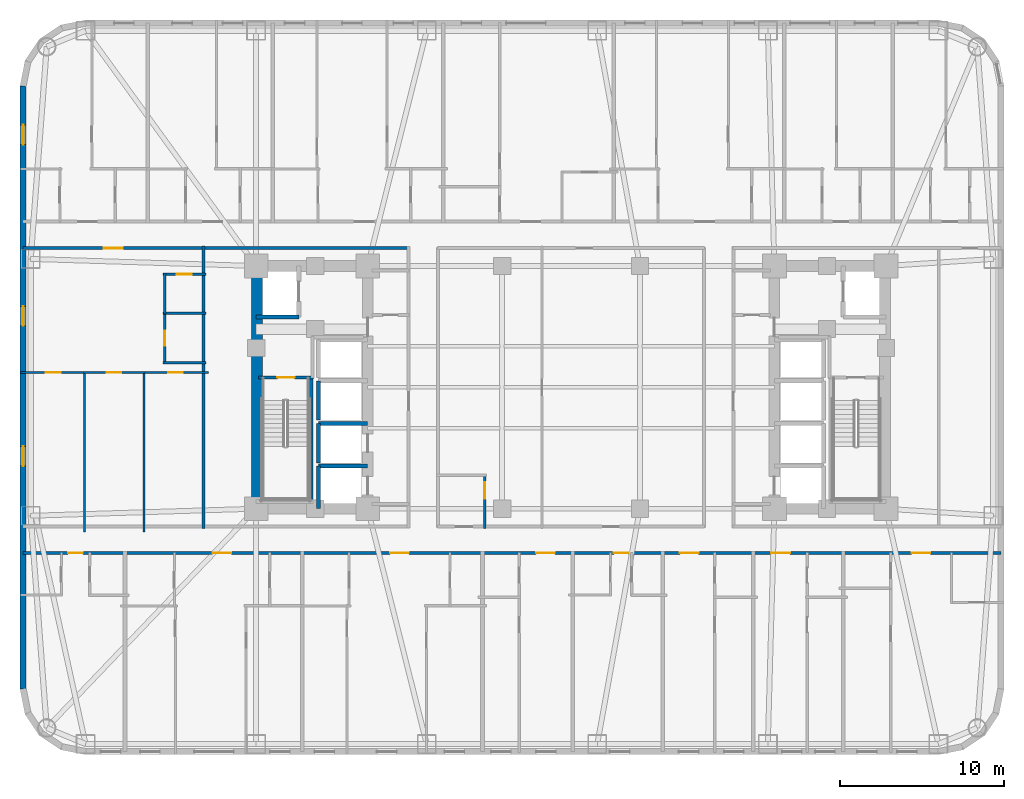
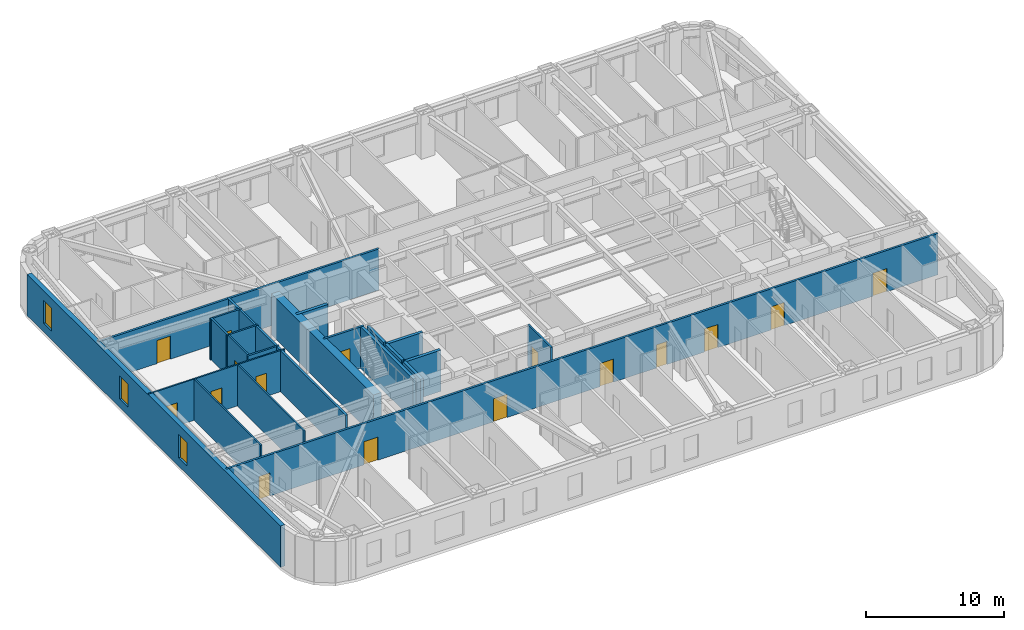
# One storey, part 4 of 11: 24 walls, 16 doors, 3 windows, 19 openings.
"""IFC4 building model written with IfcOpenShell, lengths in metres."""

from ifc_helpers import new_model, si_unit, direction, frame, frame_2d, origin, place, context, subcontext, project, spatial, rectangle, extrude, material, layer, layer_set, type_object, element, fill, save


model = new_model("IFC4")

# Units and contexts
model_context = context("Model", 3, precision=1e-05, world=origin(), true_north=direction((0.0, 1.0)))
body_context = subcontext(model_context, "Body", "Model", "MODEL_VIEW")
ifc_project = project(units=[si_unit("LENGTHUNIT", "METRE"), si_unit("AREAUNIT", "SQUARE_METRE"), si_unit("VOLUMEUNIT", "CUBIC_METRE"), si_unit("PLANEANGLEUNIT", "RADIAN"), si_unit("MASSUNIT", "GRAM", prefix="KILO")], contexts=[model_context])

# Site, building, storey
site_placement = place(None, origin())
site = spatial("IfcSite", under=ifc_project, at=site_placement, CompositionType="ELEMENT")
building_placement = place(site_placement, origin())
building = spatial("IfcBuilding", under=site, at=building_placement, Name="Voryun Gate Residences", CompositionType="ELEMENT")
storey_placement = place(building_placement, frame((0.0, 0.0, 45.5)))
storey = spatial("IfcBuildingStorey", under=building, at=storey_placement, Name="L10", CompositionType="ELEMENT", Elevation=45.5)

# Wall
ifc_material_1 = material(Name="Concrete C60/75", Category="concrete")
ifc_layer_1 = layer(ifc_material_1, 0.64990234375, Name="CW_CORE_650")
ifc_layer_set_1 = layer_set([ifc_layer_1], Name="Concrete C60/75")
wall_type_1 = type_object("IfcWallType", Name="CW_CORE_650", PredefinedType="SHEAR", material=ifc_layer_set_1)
wall_1_placement = place(storey_placement, frame((-19.14501953125, -7.39990234375, 0.0), z_axis=(0.0, 0.0, 1.0), x_axis=(0.0, 1.0, 0.0)))
element("IfcWall", 1, at=wall_1_placement, inside=storey, type_object=wall_type_1, Name="L10 Core shear wall CW-L10-WW", PredefinedType="SHEAR", context=body_context, shape_type="SweptSolid", body=[
    extrude(rectangle(XDim=14.7998046875, YDim=0.64990234375, at=frame_2d((7.39990234375, 0.0))), origin(), (0.0, 0.0, 1.0), 3.64990234375),
])

# Wall, opening, door
ifc_material_2 = material(Name="Gypsum acoustic fireboard")
ifc_layer_2 = layer(ifc_material_2, 0.179931640625, Name="W_CORR_RATED_180")
ifc_layer_set_2 = layer_set([ifc_layer_2], Name="Gypsum acoustic fireboard")
wall_type_2 = type_object("IfcWallType", Name="W_CORR_RATED_180", PredefinedType="PARTITIONING", material=ifc_layer_set_2)
wall_2_placement = place(storey_placement, frame((-19.06005859375, 0.60009765625, 0.0), z_axis=(0.0, 0.0, 1.0), x_axis=(1.0, 0.0, 0.0)))
wall_2 = element("IfcWall", 2, at=wall_2_placement, inside=storey, type_object=wall_type_2, Name="Partition wall WP-L10-STV-W", PredefinedType="PARTITIONING", context=body_context, shape_type="SweptSolid", body=[
    extrude(rectangle(XDim=3.360107421875, YDim=0.179931640625, at=frame_2d((1.68017578125, 0.0))), origin(), (0.0, 0.0, 1.0), 3.64990234375),
])
opening_1_placement = place(wall_2_placement, frame((1.155029296875, 0.0, 0.0)))
opening_1 = element("IfcOpeningElement", 3, at=opening_1_placement, cuts=wall_2, Name="Opening D-FD60-1", PredefinedType="OPENING", context=body_context, shape_type="SweptSolid", body=[
    extrude(rectangle(XDim=1.050048828125, YDim=2.050048828125, at=frame_2d((0.52490234375, 1.02490234375))), frame((0.0, 0.099853515625, 0.0), z_axis=(0.0, -1.0, 0.0), x_axis=(1.0, 0.0, 0.0)), (0.0, 0.0, 1.0), 0.199951171875),
])
ifc_material_3 = material(Name="Painted steel fire door", Category="steel")
door_type_1 = type_object("IfcDoorType", Name="DR_FD60_STAIR_1050", OperationType="NOTDEFINED", PredefinedType="DOOR", material=ifc_material_3)
door_1_placement = place(opening_1_placement, origin())
door_1 = element("IfcDoor", 4, at=door_1_placement, inside=storey, type_object=door_type_1, Name="Door DR-L10-ST-W", OperationType="SINGLE_SWING_LEFT", OverallHeight=2.050048828125, OverallWidth=1.050048828125, PredefinedType="DOOR", context=body_context, shape_type="SweptSolid", body=[
    extrude(rectangle(XDim=1.050048828125, YDim=2.050048828125, at=frame_2d((0.52490234375, 1.02490234375))), frame((0.0, 0.02490234375, 0.0), z_axis=(0.0, -1.0, 0.0), x_axis=(1.0, 0.0, 0.0)), (0.0, 0.0, 1.0), 0.050048828125),
])
fill(opening_1, door_1)

wall_3_placement = place(storey_placement, frame((-33.409912109375, 8.489990234375, 0.0), z_axis=(0.0, 0.0, 1.0), x_axis=(1.0, 0.0, 0.0)))
wall_3 = element("IfcWall", 5, at=wall_3_placement, inside=storey, type_object=wall_type_2, Name="Partition wall WP-L10-CWING-WN", PredefinedType="PARTITIONING", context=body_context, shape_type="SweptSolid", body=[
    extrude(rectangle(XDim=23.530029296875, YDim=0.179931640625, at=frame_2d((11.76513671875, 0.0))), origin(), (0.0, 0.0, 1.0), 3.64990234375),
])
opening_2_placement = place(wall_3_placement, frame((4.91455078125, 0.0, 0.0)))
opening_2 = element("IfcOpeningElement", 6, at=opening_2_placement, cuts=wall_3, Name="Opening D-UNIT-1", PredefinedType="OPENING", context=body_context, shape_type="SweptSolid", body=[
    extrude(rectangle(XDim=1.14990234375, YDim=2.050048828125, at=frame_2d((0.574951171875, 1.02490234375))), frame((0.0, 0.099853515625, 0.0), z_axis=(0.0, -1.0, 0.0), x_axis=(1.0, 0.0, 0.0)), (0.0, 0.0, 1.0), 0.199951171875),
])
ifc_material_4 = material(Name="Armoured timber-clad fire door", Category="wood")
door_type_2 = type_object("IfcDoorType", Name="DR_UNIT_ENTRY_1150", OperationType="NOTDEFINED", PredefinedType="DOOR", material=ifc_material_4)
door_2_placement = place(opening_2_placement, origin())
door_2 = element("IfcDoor", 7, at=door_2_placement, inside=storey, type_object=door_type_2, Name="Door DR-L10-WE1N", OperationType="SINGLE_SWING_LEFT", OverallHeight=2.050048828125, OverallWidth=1.14990234375, PredefinedType="DOOR", context=body_context, shape_type="SweptSolid", body=[
    extrude(rectangle(XDim=1.14990234375, YDim=2.050048828125, at=frame_2d((0.574951171875, 1.02490234375))), frame((0.0, 0.02490234375, 0.0), z_axis=(0.0, -1.0, 0.0), x_axis=(1.0, 0.0, 0.0)), (0.0, 0.0, 1.0), 0.050048828125),
])
fill(opening_2, door_2)

# Wall, openings, doors
wall_4_placement = place(storey_placement, frame((-33.409912109375, -10.10009765625, 0.0), z_axis=(0.0, 0.0, 1.0), x_axis=(1.0, 0.0, 0.0)))
wall_4 = element("IfcWall", 8, at=wall_4_placement, inside=storey, type_object=wall_type_2, Name="Partition wall WP-L10-SCORR", PredefinedType="PARTITIONING", context=body_context, shape_type="SweptSolid", body=[
    extrude(rectangle(XDim=59.619873046875, YDim=0.179931640625, at=frame_2d((29.81005859375, 0.0))), origin(), (0.0, 0.0, 1.0), 3.64990234375),
])
opening_3_placement = place(wall_4_placement, frame((2.74560546875, 0.0, 0.0)))
opening_3 = element("IfcOpeningElement", 9, at=opening_3_placement, cuts=wall_4, Name="Opening D-INT-2", PredefinedType="OPENING", context=body_context, shape_type="SweptSolid", body=[
    extrude(rectangle(XDim=0.89990234375, YDim=2.050048828125, at=frame_2d((0.449951171875, 1.02490234375))), frame((0.0, 0.099853515625, 0.0), z_axis=(0.0, -1.0, 0.0), x_axis=(1.0, 0.0, 0.0)), (0.0, 0.0, 1.0), 0.199951171875),
])
opening_4_placement = place(wall_4_placement, frame((11.5517578125, 0.0, 0.0)))
opening_4 = element("IfcOpeningElement", 10, at=opening_4_placement, cuts=wall_4, Name="Opening D-UNIT-1", PredefinedType="OPENING", context=body_context, shape_type="SweptSolid", body=[
    extrude(rectangle(XDim=1.14990234375, YDim=2.050048828125, at=frame_2d((0.574951171875, 1.02490234375))), frame((0.0, 0.099853515625, 0.0), z_axis=(0.0, -1.0, 0.0), x_axis=(1.0, 0.0, 0.0)), (0.0, 0.0, 1.0), 0.199951171875),
])
opening_5_placement = place(wall_4_placement, frame((22.378662109375, 0.0, 0.0)))
opening_5 = element("IfcOpeningElement", 11, at=opening_5_placement, cuts=wall_4, Name="Opening D-UNIT-1", PredefinedType="OPENING", context=body_context, shape_type="SweptSolid", body=[
    extrude(rectangle(XDim=1.14990234375, YDim=2.050048828125, at=frame_2d((0.574951171875, 1.02490234375))), frame((0.0, 0.099853515625, 0.0), z_axis=(0.0, -1.0, 0.0), x_axis=(1.0, 0.0, 0.0)), (0.0, 0.0, 1.0), 0.199951171875),
])
opening_6_placement = place(wall_4_placement, frame((31.280029296875, 0.0, 0.0)))
opening_6 = element("IfcOpeningElement", 12, at=opening_6_placement, cuts=wall_4, Name="Opening D-UNIT-1", PredefinedType="OPENING", context=body_context, shape_type="SweptSolid", body=[
    extrude(rectangle(XDim=1.14990234375, YDim=2.050048828125, at=frame_2d((0.574951171875, 1.02490234375))), frame((0.0, 0.099853515625, 0.0), z_axis=(0.0, -1.0, 0.0), x_axis=(1.0, 0.0, 0.0)), (0.0, 0.0, 1.0), 0.199951171875),
])
opening_7_placement = place(wall_4_placement, frame((36.01953125, 0.0, 0.0)))
opening_7 = element("IfcOpeningElement", 13, at=opening_7_placement, cuts=wall_4, Name="Opening D-INT-2", PredefinedType="OPENING", context=body_context, shape_type="SweptSolid", body=[
    extrude(rectangle(XDim=0.89990234375, YDim=2.050048828125, at=frame_2d((0.449951171875, 1.02490234375))), frame((0.0, 0.099853515625, 0.0), z_axis=(0.0, -1.0, 0.0), x_axis=(1.0, 0.0, 0.0)), (0.0, 0.0, 1.0), 0.199951171875),
])
opening_8_placement = place(wall_4_placement, frame((40.044189453125, 0.0, 0.0)))
opening_8 = element("IfcOpeningElement", 14, at=opening_8_placement, cuts=wall_4, Name="Opening D-UNIT-1", PredefinedType="OPENING", context=body_context, shape_type="SweptSolid", body=[
    extrude(rectangle(XDim=1.14990234375, YDim=2.050048828125, at=frame_2d((0.574951171875, 1.02490234375))), frame((0.0, 0.099853515625, 0.0), z_axis=(0.0, -1.0, 0.0), x_axis=(1.0, 0.0, 0.0)), (0.0, 0.0, 1.0), 0.199951171875),
])
opening_9_placement = place(wall_4_placement, frame((45.612548828125, 0.0, 0.0)))
opening_9 = element("IfcOpeningElement", 15, at=opening_9_placement, cuts=wall_4, Name="Opening D-UNIT-1", PredefinedType="OPENING", context=body_context, shape_type="SweptSolid", body=[
    extrude(rectangle(XDim=1.14990234375, YDim=2.050048828125, at=frame_2d((0.574951171875, 1.02490234375))), frame((0.0, 0.099853515625, 0.0), z_axis=(0.0, -1.0, 0.0), x_axis=(1.0, 0.0, 0.0)), (0.0, 0.0, 1.0), 0.199951171875),
])
opening_10_placement = place(wall_4_placement, frame((54.174072265625, 0.0, 0.0)))
opening_10 = element("IfcOpeningElement", 16, at=opening_10_placement, cuts=wall_4, Name="Opening D-UNIT-1", PredefinedType="OPENING", context=body_context, shape_type="SweptSolid", body=[
    extrude(rectangle(XDim=1.14990234375, YDim=2.050048828125, at=frame_2d((0.574951171875, 1.02490234375))), frame((0.0, 0.099853515625, 0.0), z_axis=(0.0, -1.0, 0.0), x_axis=(1.0, 0.0, 0.0)), (0.0, 0.0, 1.0), 0.199951171875),
])
ifc_material_5 = material(Name="Architectural oak veneer")
door_type_3 = type_object("IfcDoorType", Name="DR_INT_BATH_900", OperationType="NOTDEFINED", PredefinedType="DOOR", material=ifc_material_5)
door_3_placement = place(opening_3_placement, origin())
door_3 = element("IfcDoor", 17, at=door_3_placement, inside=storey, type_object=door_type_3, Name="Door DR-L10-SENT-1", OperationType="SINGLE_SWING_RIGHT", OverallHeight=2.050048828125, OverallWidth=0.89990234375, PredefinedType="DOOR", context=body_context, shape_type="SweptSolid", body=[
    extrude(rectangle(XDim=0.89990234375, YDim=2.050048828125, at=frame_2d((0.449951171875, 1.02490234375))), frame((0.0, 0.02490234375, 0.0), z_axis=(0.0, -1.0, 0.0), x_axis=(1.0, 0.0, 0.0)), (0.0, 0.0, 1.0), 0.050048828125),
])
fill(opening_3, door_3)
door_4_placement = place(opening_7_placement, origin())
door_4 = element("IfcDoor", 18, at=door_4_placement, inside=storey, type_object=door_type_3, Name="Door DR-L10-SENT-5", OperationType="SINGLE_SWING_RIGHT", OverallHeight=2.050048828125, OverallWidth=0.89990234375, PredefinedType="DOOR", context=body_context, shape_type="SweptSolid", body=[
    extrude(rectangle(XDim=0.89990234375, YDim=2.050048828125, at=frame_2d((0.449951171875, 1.02490234375))), frame((0.0, 0.02490234375, 0.0), z_axis=(0.0, -1.0, 0.0), x_axis=(1.0, 0.0, 0.0)), (0.0, 0.0, 1.0), 0.050048828125),
])
fill(opening_7, door_4)
door_5_placement = place(opening_4_placement, origin())
door_5 = element("IfcDoor", 19, at=door_5_placement, inside=storey, type_object=door_type_2, Name="Door DR-L10-SENT-2", OperationType="SINGLE_SWING_LEFT", OverallHeight=2.050048828125, OverallWidth=1.14990234375, PredefinedType="DOOR", context=body_context, shape_type="SweptSolid", body=[
    extrude(rectangle(XDim=1.14990234375, YDim=2.050048828125, at=frame_2d((0.574951171875, 1.02490234375))), frame((0.0, 0.02490234375, 0.0), z_axis=(0.0, -1.0, 0.0), x_axis=(1.0, 0.0, 0.0)), (0.0, 0.0, 1.0), 0.050048828125),
])
fill(opening_4, door_5)
door_6_placement = place(opening_5_placement, origin())
door_6 = element("IfcDoor", 20, at=door_6_placement, inside=storey, type_object=door_type_2, Name="Door DR-L10-SENT-3", OperationType="SINGLE_SWING_RIGHT", OverallHeight=2.050048828125, OverallWidth=1.14990234375, PredefinedType="DOOR", context=body_context, shape_type="SweptSolid", body=[
    extrude(rectangle(XDim=1.14990234375, YDim=2.050048828125, at=frame_2d((0.574951171875, 1.02490234375))), frame((0.0, 0.02490234375, 0.0), z_axis=(0.0, -1.0, 0.0), x_axis=(1.0, 0.0, 0.0)), (0.0, 0.0, 1.0), 0.050048828125),
])
fill(opening_5, door_6)
door_7_placement = place(opening_6_placement, origin())
door_7 = element("IfcDoor", 21, at=door_7_placement, inside=storey, type_object=door_type_2, Name="Door DR-L10-SENT-4", OperationType="SINGLE_SWING_LEFT", OverallHeight=2.050048828125, OverallWidth=1.14990234375, PredefinedType="DOOR", context=body_context, shape_type="SweptSolid", body=[
    extrude(rectangle(XDim=1.14990234375, YDim=2.050048828125, at=frame_2d((0.574951171875, 1.02490234375))), frame((0.0, 0.02490234375, 0.0), z_axis=(0.0, -1.0, 0.0), x_axis=(1.0, 0.0, 0.0)), (0.0, 0.0, 1.0), 0.050048828125),
])
fill(opening_6, door_7)
door_8_placement = place(opening_8_placement, origin())
door_8 = element("IfcDoor", 22, at=door_8_placement, inside=storey, type_object=door_type_2, Name="Door DR-L10-SENT-6", OperationType="SINGLE_SWING_LEFT", OverallHeight=2.050048828125, OverallWidth=1.14990234375, PredefinedType="DOOR", context=body_context, shape_type="SweptSolid", body=[
    extrude(rectangle(XDim=1.14990234375, YDim=2.050048828125, at=frame_2d((0.574951171875, 1.02490234375))), frame((0.0, 0.02490234375, 0.0), z_axis=(0.0, -1.0, 0.0), x_axis=(1.0, 0.0, 0.0)), (0.0, 0.0, 1.0), 0.050048828125),
])
fill(opening_8, door_8)
door_9_placement = place(opening_9_placement, origin())
door_9 = element("IfcDoor", 23, at=door_9_placement, inside=storey, type_object=door_type_2, Name="Door DR-L10-SENT-7", OperationType="SINGLE_SWING_RIGHT", OverallHeight=2.050048828125, OverallWidth=1.14990234375, PredefinedType="DOOR", context=body_context, shape_type="SweptSolid", body=[
    extrude(rectangle(XDim=1.14990234375, YDim=2.050048828125, at=frame_2d((0.574951171875, 1.02490234375))), frame((0.0, 0.02490234375, 0.0), z_axis=(0.0, -1.0, 0.0), x_axis=(1.0, 0.0, 0.0)), (0.0, 0.0, 1.0), 0.050048828125),
])
fill(opening_9, door_9)
door_10_placement = place(opening_10_placement, origin())
door_10 = element("IfcDoor", 24, at=door_10_placement, inside=storey, type_object=door_type_2, Name="Door DR-L10-SENT-8", OperationType="SINGLE_SWING_LEFT", OverallHeight=2.050048828125, OverallWidth=1.14990234375, PredefinedType="DOOR", context=body_context, shape_type="SweptSolid", body=[
    extrude(rectangle(XDim=1.14990234375, YDim=2.050048828125, at=frame_2d((0.574951171875, 1.02490234375))), frame((0.0, 0.02490234375, 0.0), z_axis=(0.0, -1.0, 0.0), x_axis=(1.0, 0.0, 0.0)), (0.0, 0.0, 1.0), 0.050048828125),
])
fill(opening_10, door_10)

# Wall
wall_5_placement = place(storey_placement, frame((-22.419921875, -8.610107421875, 0.0), z_axis=(0.0, 0.0, 1.0), x_axis=(0.0, 1.0, 0.0)))
element("IfcWall", 25, at=wall_5_placement, inside=storey, type_object=wall_type_2, Name="Partition wall WP-L10-WCOR", PredefinedType="PARTITIONING", context=body_context, shape_type="SweptSolid", body=[
    extrude(rectangle(XDim=17.22021484375, YDim=0.179931640625, at=frame_2d((8.610107421875, 0.0))), origin(), (0.0, 0.0, 1.0), 3.64990234375),
])

# Wall, openings, windows
ifc_material_6 = material(Name="Granite masonry", Category="masonry")
ifc_layer_3 = layer(ifc_material_6, 0.3798828125, Name="W_EXT_GRANITE_380")
ifc_layer_set_3 = layer_set([ifc_layer_3], Name="Granite masonry")
wall_type_3 = type_object("IfcWallType", Name="W_EXT_GRANITE_380", PredefinedType="ELEMENTEDWALL", material=ifc_layer_set_3)
wall_6_placement = place(storey_placement, frame((-33.409912109375, -18.38134765625, 0.0), z_axis=(0.0, 0.0, 1.0), x_axis=(0.0, 1.0, 0.0)))
wall_6 = element("IfcWall", 26, at=wall_6_placement, inside=storey, type_object=wall_type_3, Name="Exterior wall WEXT-L10-06", PredefinedType="ELEMENTEDWALL", context=body_context, shape_type="SweptSolid", body=[
    extrude(rectangle(XDim=36.7626953125, YDim=0.3798828125, at=frame_2d((18.38134765625, 0.0))), origin(), (0.0, 0.0, 1.0), 3.64990234375),
])
opening_11_placement = place(wall_6_placement, frame((33.18701171875, 0.0, 0.75)))
opening_11 = element("IfcOpeningElement", 27, at=opening_11_placement, cuts=wall_6, Name="Opening WN6", PredefinedType="OPENING", context=body_context, shape_type="SweptSolid", body=[
    extrude(rectangle(XDim=1.199951171875, YDim=2.050048828125, at=frame_2d((0.60009765625, 1.02490234375))), frame((0.0, 0.199951171875, 0.0), z_axis=(0.0, -1.0, 0.0), x_axis=(1.0, 0.0, 0.0)), (0.0, 0.0, 1.0), 0.39990234375),
])
opening_12_placement = place(wall_6_placement, frame((22.126220703125, 0.0, 0.75)))
opening_12 = element("IfcOpeningElement", 28, at=opening_12_placement, cuts=wall_6, Name="Opening WN6", PredefinedType="OPENING", context=body_context, shape_type="SweptSolid", body=[
    extrude(rectangle(XDim=1.199951171875, YDim=2.050048828125, at=frame_2d((0.60009765625, 1.02490234375))), frame((0.0, 0.199951171875, 0.0), z_axis=(0.0, -1.0, 0.0), x_axis=(1.0, 0.0, 0.0)), (0.0, 0.0, 1.0), 0.39990234375),
])
opening_13_placement = place(wall_6_placement, frame((13.576416015625, 0.0, 0.75)))
opening_13 = element("IfcOpeningElement", 29, at=opening_13_placement, cuts=wall_6, Name="Opening WN6", PredefinedType="OPENING", context=body_context, shape_type="SweptSolid", body=[
    extrude(rectangle(XDim=1.199951171875, YDim=2.050048828125, at=frame_2d((0.60009765625, 1.02490234375))), frame((0.0, 0.199951171875, 0.0), z_axis=(0.0, -1.0, 0.0), x_axis=(1.0, 0.0, 0.0)), (0.0, 0.0, 1.0), 0.39990234375),
])
ifc_material_7 = material(Name="Laminated low-E glass", Category="glass")
window_type = type_object("IfcWindowType", Name="WN_POD_SLOT_1200", PartitioningType="SINGLE_PANEL", PredefinedType="WINDOW", material=ifc_material_7)
window_1_placement = place(opening_11_placement, origin())
window_1 = element("IfcWindow", 30, at=window_1_placement, inside=storey, type_object=window_type, Name="Window WN-L10-DWFIX-01", OverallHeight=2.050048828125, OverallWidth=1.199951171875, PartitioningType="SINGLE_PANEL", PredefinedType="WINDOW", context=body_context, shape_type="SweptSolid", body=[
    extrude(rectangle(XDim=1.199951171875, YDim=2.050048828125, at=frame_2d((0.60009765625, 1.02490234375))), frame((0.0, 0.030029296875, 0.0), z_axis=(0.0, -1.0, 0.0), x_axis=(1.0, 0.0, 0.0)), (0.0, 0.0, 1.0), 0.06005859375),
])
fill(opening_11, window_1)
window_2_placement = place(opening_12_placement, origin())
window_2 = element("IfcWindow", 31, at=window_2_placement, inside=storey, type_object=window_type, Name="Window WN-L10-DWFIX-30", OverallHeight=2.050048828125, OverallWidth=1.199951171875, PartitioningType="SINGLE_PANEL", PredefinedType="WINDOW", context=body_context, shape_type="SweptSolid", body=[
    extrude(rectangle(XDim=1.199951171875, YDim=2.050048828125, at=frame_2d((0.60009765625, 1.02490234375))), frame((0.0, 0.030029296875, 0.0), z_axis=(0.0, -1.0, 0.0), x_axis=(1.0, 0.0, 0.0)), (0.0, 0.0, 1.0), 0.06005859375),
])
fill(opening_12, window_2)
window_3_placement = place(opening_13_placement, origin())
window_3 = element("IfcWindow", 32, at=window_3_placement, inside=storey, type_object=window_type, Name="Window WN-L10-DWFIX-31", OverallHeight=2.050048828125, OverallWidth=1.199951171875, PartitioningType="SINGLE_PANEL", PredefinedType="WINDOW", context=body_context, shape_type="SweptSolid", body=[
    extrude(rectangle(XDim=1.199951171875, YDim=2.050048828125, at=frame_2d((0.60009765625, 1.02490234375))), frame((0.0, 0.030029296875, 0.0), z_axis=(0.0, -1.0, 0.0), x_axis=(1.0, 0.0, 0.0)), (0.0, 0.0, 1.0), 0.06005859375),
])
fill(opening_13, window_3)

# Walls
ifc_material_8 = material(Name="Concrete C50/60", Category="concrete")
ifc_layer_4 = layer(ifc_material_8, 0.25, Name="W_SHAFT_RC250")
ifc_layer_set_4 = layer_set([ifc_layer_4], Name="Concrete C50/60")
wall_type_4 = type_object("IfcWallType", Name="W_SHAFT_RC250", PredefinedType="SOLIDWALL", material=ifc_layer_set_4)
wall_7_placement = place(storey_placement, frame((-15.860107421875, -7.0849609375, 0.0), z_axis=(0.0, 0.0, 1.0), x_axis=(0.0, 1.0, 0.0)))
element("IfcWall", 33, at=wall_7_placement, inside=storey, type_object=wall_type_4, Name="L10 Stair shaft structural wall W-STR", PredefinedType="SOLIDWALL", context=body_context, shape_type="SweptSolid", body=[
    extrude(rectangle(XDim=7.68505859375, YDim=0.25, at=frame_2d((3.842529296875, 0.0))), origin(), (0.0, 0.0, 1.0), 3.64990234375),
])
wall_8_placement = place(storey_placement, frame((-19.199951171875, 4.300048828125, 0.0), z_axis=(0.0, 0.0, 1.0), x_axis=(1.0, 0.0, 0.0)))
element("IfcWall", 34, at=wall_8_placement, inside=storey, type_object=wall_type_4, Name="Lift shaft wall WSH-L10-EL-FF-W1-S", PredefinedType="SOLIDWALL", context=body_context, shape_type="SweptSolid", body=[
    extrude(rectangle(XDim=2.599853515625, YDim=0.25, at=frame_2d((1.2998046875, 0.0))), origin(), (0.0, 0.0, 1.0), 3.64990234375),
])
wall_9_placement = place(storey_placement, frame((-12.39990234375, -4.800048828125, 0.0), z_axis=(0.0, 0.0, 1.0), x_axis=(-1.0, 0.0, 0.0)))
element("IfcWall", 35, at=wall_9_placement, inside=storey, type_object=wall_type_4, Name="Lift shaft wall WSH-L10-EL-P1-N", PredefinedType="SOLIDWALL", context=body_context, shape_type="SweptSolid", body=[
    extrude(rectangle(XDim=3.0, YDim=0.25, at=frame_2d((1.5, 0.0))), origin(), (0.0, 0.0, 1.0), 3.64990234375),
])
wall_10_placement = place(storey_placement, frame((-15.39990234375, -4.800048828125, 0.0), z_axis=(0.0, 0.0, 1.0), x_axis=(0.0, -1.0, 0.0)))
element("IfcWall", 36, at=wall_10_placement, inside=storey, type_object=wall_type_4, Name="Lift shaft wall WSH-L10-EL-P1-W", PredefinedType="SOLIDWALL", context=body_context, shape_type="SweptSolid", body=[
    extrude(rectangle(XDim=2.599853515625, YDim=0.25, at=frame_2d((1.2998046875, 0.0))), origin(), (0.0, 0.0, 1.0), 3.64990234375),
])
wall_11_placement = place(storey_placement, frame((-12.39990234375, -2.199951171875, 0.0), z_axis=(0.0, 0.0, 1.0), x_axis=(-1.0, 0.0, 0.0)))
element("IfcWall", 37, at=wall_11_placement, inside=storey, type_object=wall_type_4, Name="Lift shaft wall WSH-L10-EL-P2-N", PredefinedType="SOLIDWALL", context=body_context, shape_type="SweptSolid", body=[
    extrude(rectangle(XDim=3.0, YDim=0.25, at=frame_2d((1.5, 0.0))), origin(), (0.0, 0.0, 1.0), 3.64990234375),
])
wall_12_placement = place(storey_placement, frame((-15.39990234375, -2.199951171875, 0.0), z_axis=(0.0, 0.0, 1.0), x_axis=(0.0, -1.0, 0.0)))
element("IfcWall", 38, at=wall_12_placement, inside=storey, type_object=wall_type_4, Name="Lift shaft wall WSH-L10-EL-P2-W", PredefinedType="SOLIDWALL", context=body_context, shape_type="SweptSolid", body=[
    extrude(rectangle(XDim=2.400146484375, YDim=0.25, at=frame_2d((1.2001953125, 0.0))), origin(), (0.0, 0.0, 1.0), 3.64990234375),
])
wall_13_placement = place(storey_placement, frame((-15.39990234375, 0.39990234375, 0.0), z_axis=(0.0, 0.0, 1.0), x_axis=(0.0, -1.0, 0.0)))
element("IfcWall", 39, at=wall_13_placement, inside=storey, type_object=wall_type_4, Name="Lift shaft wall WSH-L10-EL-P4-W", PredefinedType="SOLIDWALL", context=body_context, shape_type="SweptSolid", body=[
    extrude(rectangle(XDim=2.39990234375, YDim=0.25, at=frame_2d((1.199951171875, 0.0))), origin(), (0.0, 0.0, 1.0), 3.64990234375),
])

# Wall, opening, door
ifc_material_9 = material(Name="Gypsum acoustic partition")
ifc_layer_5 = layer(ifc_material_9, 0.125, Name="W_UNIT_PART_125")
ifc_layer_set_5 = layer_set([ifc_layer_5], Name="Gypsum acoustic partition")
wall_type_5 = type_object("IfcWallType", Name="W_UNIT_PART_125", PredefinedType="PARTITIONING", material=ifc_layer_set_5)
wall_14_placement = place(storey_placement, frame((-33.56005859375, 0.909912109375, 0.0), z_axis=(0.0, 0.0, 1.0), x_axis=(1.0, 0.0, 0.0)))
wall_14 = element("IfcWall", 40, at=wall_14_placement, inside=storey, type_object=wall_type_5, Name="Partition wall WP-L10-W1-HZMB1", PredefinedType="PARTITIONING", context=body_context, shape_type="SweptSolid", body=[
    extrude(rectangle(XDim=3.944580078125, YDim=0.125, at=frame_2d((1.97216796875, 0.0))), origin(), (0.0, 0.0, 1.0), 3.64990234375),
])
opening_14_placement = place(wall_14_placement, frame((1.531005859375, 0.0, 0.0)))
opening_14 = element("IfcOpeningElement", 41, at=opening_14_placement, cuts=wall_14, Name="Opening D-INT-2", PredefinedType="OPENING", context=body_context, shape_type="SweptSolid", body=[
    extrude(rectangle(XDim=0.89990234375, YDim=2.050048828125, at=frame_2d((0.449951171875, 1.02490234375))), frame((0.0, 0.072509765625, 0.0), z_axis=(0.0, -1.0, 0.0), x_axis=(1.0, 0.0, 0.0)), (0.0, 0.0, 1.0), 0.14501953125),
])
door_11_placement = place(opening_14_placement, origin())
door_11 = element("IfcDoor", 42, at=door_11_placement, inside=storey, type_object=door_type_3, Name="Door DR-L10-W1-DMB", OperationType="SINGLE_SWING_LEFT", OverallHeight=2.050048828125, OverallWidth=0.89990234375, PredefinedType="DOOR", context=body_context, shape_type="SweptSolid", body=[
    extrude(rectangle(XDim=0.89990234375, YDim=2.050048828125, at=frame_2d((0.449951171875, 1.02490234375))), frame((0.0, 0.02490234375, 0.0), z_axis=(0.0, -1.0, 0.0), x_axis=(1.0, 0.0, 0.0)), (0.0, 0.0, 1.0), 0.050048828125),
])
fill(opening_14, door_11)

wall_15_placement = place(storey_placement, frame((-29.740478515625, 0.909912109375, 0.0), z_axis=(0.0, 0.0, 1.0), x_axis=(1.0, 0.0, 0.0)))
wall_15 = element("IfcWall", 43, at=wall_15_placement, inside=storey, type_object=wall_type_5, Name="Partition wall WP-L10-W1-HZMB2", PredefinedType="PARTITIONING", context=body_context, shape_type="SweptSolid", body=[
    extrude(rectangle(XDim=3.75390625, YDim=0.125, at=frame_2d((1.876953125, 0.0))), origin(), (0.0, 0.0, 1.0), 3.64990234375),
])
opening_15_placement = place(wall_15_placement, frame((1.427001953125, 0.0, 0.0)))
opening_15 = element("IfcOpeningElement", 44, at=opening_15_placement, cuts=wall_15, Name="Opening D-INT-2", PredefinedType="OPENING", context=body_context, shape_type="SweptSolid", body=[
    extrude(rectangle(XDim=0.89990234375, YDim=2.050048828125, at=frame_2d((0.449951171875, 1.02490234375))), frame((0.0, 0.072509765625, 0.0), z_axis=(0.0, -1.0, 0.0), x_axis=(1.0, 0.0, 0.0)), (0.0, 0.0, 1.0), 0.14501953125),
])
door_12_placement = place(opening_15_placement, origin())
door_12 = element("IfcDoor", 45, at=door_12_placement, inside=storey, type_object=door_type_3, Name="Door DR-L10-W1-DBD2", OperationType="SINGLE_SWING_RIGHT", OverallHeight=2.050048828125, OverallWidth=0.89990234375, PredefinedType="DOOR", context=body_context, shape_type="SweptSolid", body=[
    extrude(rectangle(XDim=0.89990234375, YDim=2.050048828125, at=frame_2d((0.449951171875, 1.02490234375))), frame((0.0, 0.02490234375, 0.0), z_axis=(0.0, -1.0, 0.0), x_axis=(1.0, 0.0, 0.0)), (0.0, 0.0, 1.0), 0.050048828125),
])
fill(opening_15, door_12)

wall_16_placement = place(storey_placement, frame((-26.111572265625, 0.909912109375, 0.0), z_axis=(0.0, 0.0, 1.0), x_axis=(1.0, 0.0, 0.0)))
wall_16 = element("IfcWall", 46, at=wall_16_placement, inside=storey, type_object=wall_type_5, Name="Partition wall WP-L10-W1-HZMB3", PredefinedType="PARTITIONING", context=body_context, shape_type="SweptSolid", body=[
    extrude(rectangle(XDim=4.011474609375, YDim=0.125, at=frame_2d((2.005859375, 0.0))), origin(), (0.0, 0.0, 1.0), 3.64990234375),
])
opening_16_placement = place(wall_16_placement, frame((1.547119140625, 0.0, 0.0)))
opening_16 = element("IfcOpeningElement", 47, at=opening_16_placement, cuts=wall_16, Name="Opening D-INT-2", PredefinedType="OPENING", context=body_context, shape_type="SweptSolid", body=[
    extrude(rectangle(XDim=0.89990234375, YDim=2.050048828125, at=frame_2d((0.449951171875, 1.02490234375))), frame((0.0, 0.072509765625, 0.0), z_axis=(0.0, -1.0, 0.0), x_axis=(1.0, 0.0, 0.0)), (0.0, 0.0, 1.0), 0.14501953125),
])
door_13_placement = place(opening_16_placement, origin())
door_13 = element("IfcDoor", 48, at=door_13_placement, inside=storey, type_object=door_type_3, Name="Door DR-L10-W1-DBD3", OperationType="SINGLE_SWING_LEFT", OverallHeight=2.050048828125, OverallWidth=0.89990234375, PredefinedType="DOOR", context=body_context, shape_type="SweptSolid", body=[
    extrude(rectangle(XDim=0.89990234375, YDim=2.050048828125, at=frame_2d((0.449951171875, 1.02490234375))), frame((0.0, 0.02490234375, 0.0), z_axis=(0.0, -1.0, 0.0), x_axis=(1.0, 0.0, 0.0)), (0.0, 0.0, 1.0), 0.050048828125),
])
fill(opening_16, door_13)

# Walls
for number, where, z_axis, x_axis, name in (
    (49, (-26.049072265625, -8.81005859375, 0.0), (0.0, 0.0, 1.0), (0.0, 1.0, 0.0), "Partition wall WP-L10-W1-VMB2"),
    (50, (-29.677978515625, -8.81005859375, 0.0), (0.0, 0.0, 1.0), (0.0, 1.0, 0.0), "Partition wall WP-L10-W1-VMB"),
):
    element("IfcWall", number, at=place(storey_placement, frame(where, z_axis=z_axis, x_axis=x_axis)), inside=storey, type_object=wall_type_5, Name=name, PredefinedType="PARTITIONING", context=body_context, shape_type="SweptSolid", body=[
        extrude(rectangle(XDim=9.780029296875, YDim=0.125, at=frame_2d((4.89013671875, 0.0))), origin(), (0.0, 0.0, 1.0), 3.64990234375),
    ])

# Wall, opening, door
ifc_material_10 = material(Name="Gypsum moisture-resistant partition")
ifc_layer_6 = layer(ifc_material_10, 0.14990234375, Name="W_WET_PLUMB_150")
ifc_layer_set_6 = layer_set([ifc_layer_6], Name="Gypsum moisture-resistant partition")
wall_type_6 = type_object("IfcWallType", Name="W_WET_PLUMB_150", PredefinedType="PLUMBINGWALL", material=ifc_layer_set_6)
wall_17_placement = place(storey_placement, frame((-5.260009765625, -8.6201171875, 0.0), z_axis=(0.0, 0.0, 1.0), x_axis=(0.0, 1.0, 0.0)))
wall_17 = element("IfcWall", 51, at=wall_17_placement, inside=storey, type_object=wall_type_6, Name="Partition wall WP-L10-CMWCX", PredefinedType="PLUMBINGWALL", context=body_context, shape_type="SweptSolid", body=[
    extrude(rectangle(XDim=3.35009765625, YDim=0.14990234375, at=frame_2d((1.675048828125, 0.0))), origin(), (0.0, 0.0, 1.0), 3.64990234375),
])
opening_17_placement = place(wall_17_placement, frame((1.8349609375, 0.0, 0.0)))
opening_17 = element("IfcOpeningElement", 52, at=opening_17_placement, cuts=wall_17, Name="Opening D-AWC-1", PredefinedType="OPENING", context=body_context, shape_type="SweptSolid", body=[
    extrude(rectangle(XDim=1.0, YDim=2.050048828125, at=frame_2d((0.5, 1.02490234375))), frame((0.0, 0.0849609375, 0.0), z_axis=(0.0, -1.0, 0.0), x_axis=(1.0, 0.0, 0.0)), (0.0, 0.0, 1.0), 0.169921875),
])
ifc_material_11 = material(Name="Architectural oak veneer")
door_type_4 = type_object("IfcDoorType", Name="DR_ACC_WC_1000", OperationType="NOTDEFINED", PredefinedType="DOOR", material=ifc_material_11)
door_14_placement = place(opening_17_placement, origin())
door_14 = element("IfcDoor", 53, at=door_14_placement, inside=storey, type_object=door_type_4, Name="Door DR-L10-CMWC", OperationType="SINGLE_SWING_LEFT", OverallHeight=2.050048828125, OverallWidth=1.0, PredefinedType="DOOR", context=body_context, shape_type="SweptSolid", body=[
    extrude(rectangle(XDim=1.0, YDim=2.050048828125, at=frame_2d((0.5, 1.02490234375))), frame((0.0, 0.02490234375, 0.0), z_axis=(0.0, -1.0, 0.0), x_axis=(1.0, 0.0, 0.0)), (0.0, 0.0, 1.0), 0.050048828125),
])
fill(opening_17, door_14)

wall_18_placement = place(storey_placement, frame((-24.889892578125, 6.89990234375, 0.0), z_axis=(0.0, 0.0, 1.0), x_axis=(1.0, 0.0, 0.0)))
wall_18 = element("IfcWall", 54, at=wall_18_placement, inside=storey, type_object=wall_type_6, Name="Partition wall WP-L10-W1-IBT", PredefinedType="PLUMBINGWALL", context=body_context, shape_type="SweptSolid", body=[
    extrude(rectangle(XDim=2.619873046875, YDim=0.14990234375, at=frame_2d((1.31005859375, 0.0))), origin(), (0.0, 0.0, 1.0), 3.64990234375),
])
opening_18_placement = place(wall_18_placement, frame((0.860107421875, 0.0, 0.0)))
opening_18 = element("IfcOpeningElement", 55, at=opening_18_placement, cuts=wall_18, Name="Opening D-INT-2", PredefinedType="OPENING", context=body_context, shape_type="SweptSolid", body=[
    extrude(rectangle(XDim=0.89990234375, YDim=2.050048828125, at=frame_2d((0.449951171875, 1.02490234375))), frame((0.0, 0.0849609375, 0.0), z_axis=(0.0, -1.0, 0.0), x_axis=(1.0, 0.0, 0.0)), (0.0, 0.0, 1.0), 0.169921875),
])
door_15_placement = place(opening_18_placement, origin())
door_15 = element("IfcDoor", 56, at=door_15_placement, inside=storey, type_object=door_type_3, Name="Door DR-L10-W1-DK", OperationType="SINGLE_SWING_LEFT", OverallHeight=2.050048828125, OverallWidth=0.89990234375, PredefinedType="DOOR", context=body_context, shape_type="SweptSolid", body=[
    extrude(rectangle(XDim=0.89990234375, YDim=2.050048828125, at=frame_2d((0.449951171875, 1.02490234375))), frame((0.0, 0.02490234375, 0.0), z_axis=(0.0, -1.0, 0.0), x_axis=(1.0, 0.0, 0.0)), (0.0, 0.0, 1.0), 0.050048828125),
])
fill(opening_18, door_15)

# Walls
for number, where, z_axis, x_axis, name in (
    (57, (-24.889892578125, 4.52001953125, 0.0), (0.0, 0.0, 1.0), (1.0, 0.0, 0.0), "Partition wall WP-L10-W1-IKB"),
    (58, (-24.889892578125, 1.5, 0.0), (0.0, 0.0, 1.0), (1.0, 0.0, 0.0), "Partition wall WP-L10-W1-IBB"),
):
    element("IfcWall", number, at=place(storey_placement, frame(where, z_axis=z_axis, x_axis=x_axis)), inside=storey, type_object=wall_type_6, Name=name, PredefinedType="PLUMBINGWALL", context=body_context, shape_type="SweptSolid", body=[
        extrude(rectangle(XDim=2.619873046875, YDim=0.14990234375, at=frame_2d((1.31005859375, 0.0))), origin(), (0.0, 0.0, 1.0), 3.64990234375),
    ])

# Wall, opening, door
wall_19_placement = place(storey_placement, frame((-24.77001953125, 1.43994140625, 0.0), z_axis=(0.0, 0.0, 1.0), x_axis=(0.0, 1.0, 0.0)))
wall_19 = element("IfcWall", 59, at=wall_19_placement, inside=storey, type_object=wall_type_6, Name="Partition wall WP-L10-W1-VTSK1", PredefinedType="PLUMBINGWALL", context=body_context, shape_type="SweptSolid", body=[
    extrude(rectangle(XDim=3.1201171875, YDim=0.14990234375, at=frame_2d((1.56005859375, 0.0))), origin(), (0.0, 0.0, 1.0), 3.64990234375),
])
opening_19_placement = place(wall_19_placement, frame((1.110107421875, 0.0, 0.0)))
opening_19 = element("IfcOpeningElement", 60, at=opening_19_placement, cuts=wall_19, Name="Opening D-INT-2", PredefinedType="OPENING", context=body_context, shape_type="SweptSolid", body=[
    extrude(rectangle(XDim=0.89990234375, YDim=2.050048828125, at=frame_2d((0.449951171875, 1.02490234375))), frame((0.0, 0.0849609375, 0.0), z_axis=(0.0, -1.0, 0.0), x_axis=(1.0, 0.0, 0.0)), (0.0, 0.0, 1.0), 0.169921875),
])
door_16_placement = place(opening_19_placement, origin())
door_16 = element("IfcDoor", 61, at=door_16_placement, inside=storey, type_object=door_type_3, Name="Door DR-L10-W1-DB", OperationType="SINGLE_SWING_RIGHT", OverallHeight=2.050048828125, OverallWidth=0.89990234375, PredefinedType="DOOR", context=body_context, shape_type="SweptSolid", body=[
    extrude(rectangle(XDim=0.89990234375, YDim=2.050048828125, at=frame_2d((0.449951171875, 1.02490234375))), frame((0.0, 0.02490234375, 0.0), z_axis=(0.0, -1.0, 0.0), x_axis=(1.0, 0.0, 0.0)), (0.0, 0.0, 1.0), 0.050048828125),
])
fill(opening_19, door_16)

# Wall
wall_20_placement = place(storey_placement, frame((-24.77001953125, 4.47998046875, 0.0), z_axis=(0.0, 0.0, 1.0), x_axis=(0.0, 1.0, 0.0)))
element("IfcWall", 62, at=wall_20_placement, inside=storey, type_object=wall_type_6, Name="Partition wall WP-L10-W1-VTSK2", PredefinedType="PLUMBINGWALL", context=body_context, shape_type="SweptSolid", body=[
    extrude(rectangle(XDim=2.47998046875, YDim=0.14990234375, at=frame_2d((1.239990234375, 0.0))), origin(), (0.0, 0.0, 1.0), 3.64990234375),
])

save(model, "model.ifc")
